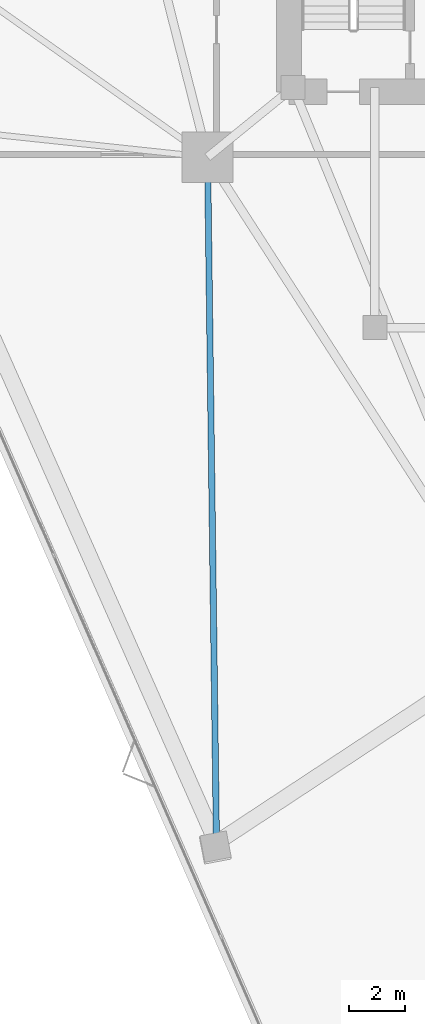
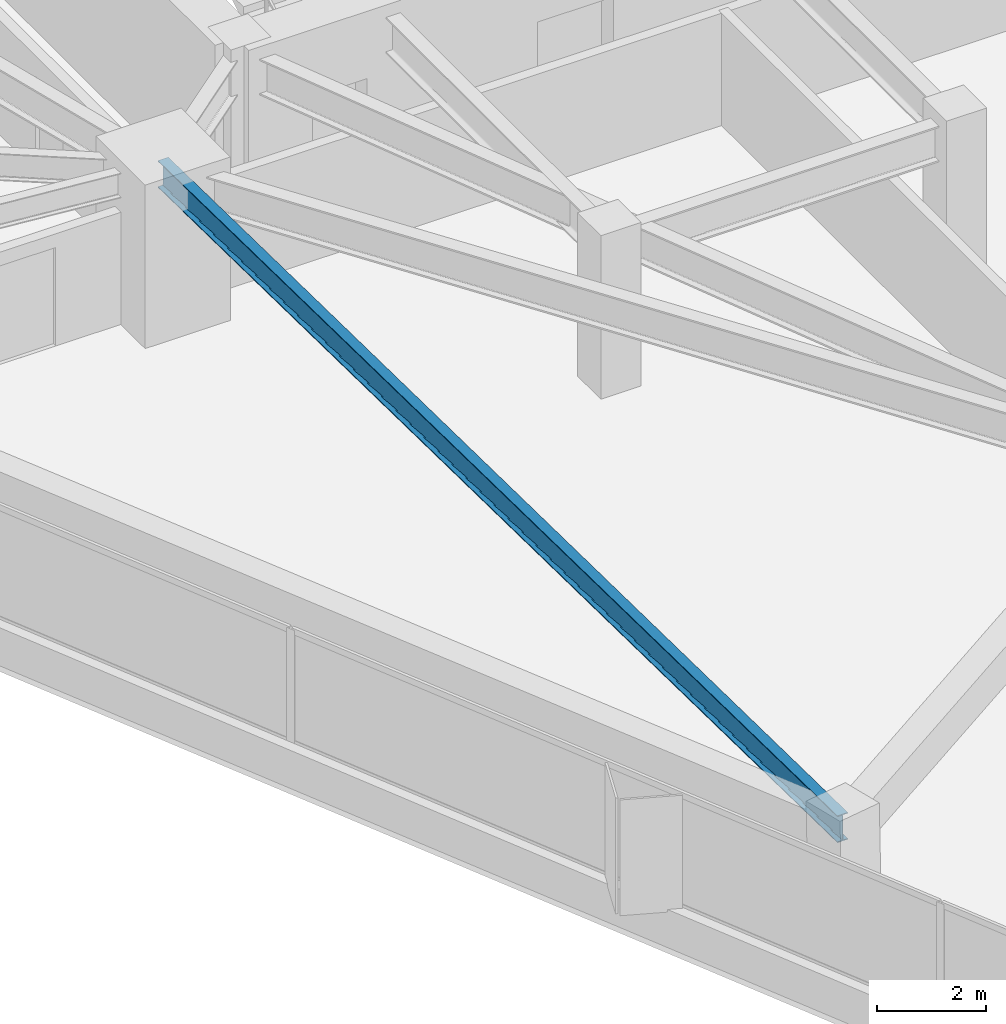
# One storey, part 3 of 20: 1 beam.
"""IFC4 building model written with IfcOpenShell, lengths in metres."""

from ifc_helpers import new_model, si_unit, direction, frame, origin, origin_2d, place, context, subcontext, project, spatial, i_section, extrude, material, material_profile, profile_set, type_object, element, save


model = new_model("IFC4")

# Units and contexts
model_context = context("Model", 3, precision=1e-05, world=origin(), true_north=direction((0.0, 1.0)))
body_context = subcontext(model_context, "Body", "Model", "MODEL_VIEW")
ifc_project = project(units=[si_unit("LENGTHUNIT", "METRE"), si_unit("AREAUNIT", "SQUARE_METRE"), si_unit("VOLUMEUNIT", "CUBIC_METRE"), si_unit("PLANEANGLEUNIT", "RADIAN"), si_unit("MASSUNIT", "GRAM", prefix="KILO")], contexts=[model_context])

# Site, building, storey
site_placement = place(None, origin())
site = spatial("IfcSite", under=ifc_project, at=site_placement, CompositionType="ELEMENT")
building_placement = place(site_placement, origin())
building = spatial("IfcBuilding", under=site, at=building_placement, Name="Talyreon Biosciences Tower", CompositionType="ELEMENT")
storey_placement = place(building_placement, frame((0.0, 0.0, 26.449951171875)))
storey = spatial("IfcBuildingStorey", under=building, at=storey_placement, Name="L06", CompositionType="ELEMENT", Elevation=26.449951171875)

# Beam
ifc_material = material(Name="Steel SM355", Category="steel")
ifc_material_profile = material_profile(ifc_material, i_section(OverallWidth=0.219970703125, OverallDepth=0.60009765625, WebThickness=0.011962890625, FlangeThickness=0.01904296875, FilletRadius=0.02392578125, at=origin_2d()), Name="IPE600")
ifc_profile_set = profile_set([ifc_material_profile], Name="Steel SM355")
beam_type = type_object("IfcBeamType", Name="SteelJoist_IPE600", PredefinedType="JOIST", material=ifc_profile_set)
beam_placement = place(storey_placement, frame((54.913818359375, 58.88037109375, 3.074951171875), z_axis=(0.012963101006, -0.999915975476, 0.0), x_axis=(0.999915975476, 0.012963101006, 0.0)))
element("IfcBeam", 1, at=beam_placement, inside=storey, type_object=beam_type, Name="L06 Radial Composite Floor Joist PC-SW2", PredefinedType="JOIST", context=body_context, shape_type="SweptSolid", body=[
    extrude(i_section(OverallWidth=0.219970703125, OverallDepth=0.60009765625, WebThickness=0.011962890625, FlangeThickness=0.01904296875, FilletRadius=0.02392578125, at=origin_2d()), origin(), (0.0, 0.0, 1.0), 24.31396484375),
])

save(model, "model.ifc")
